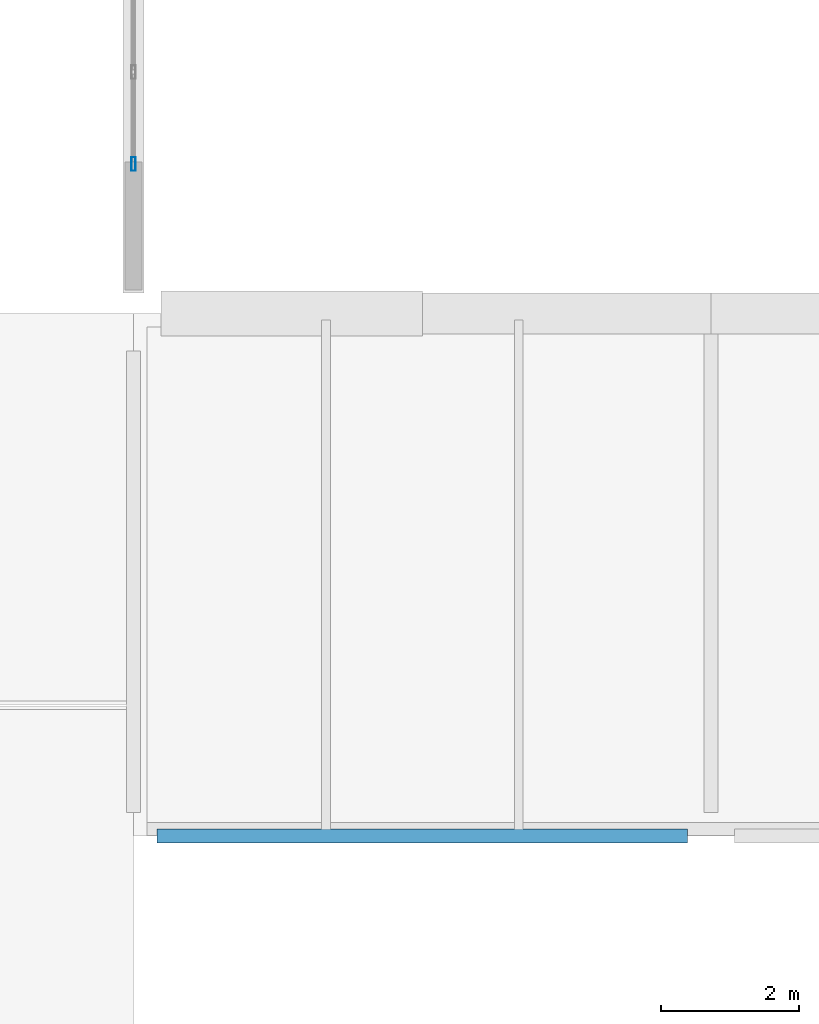
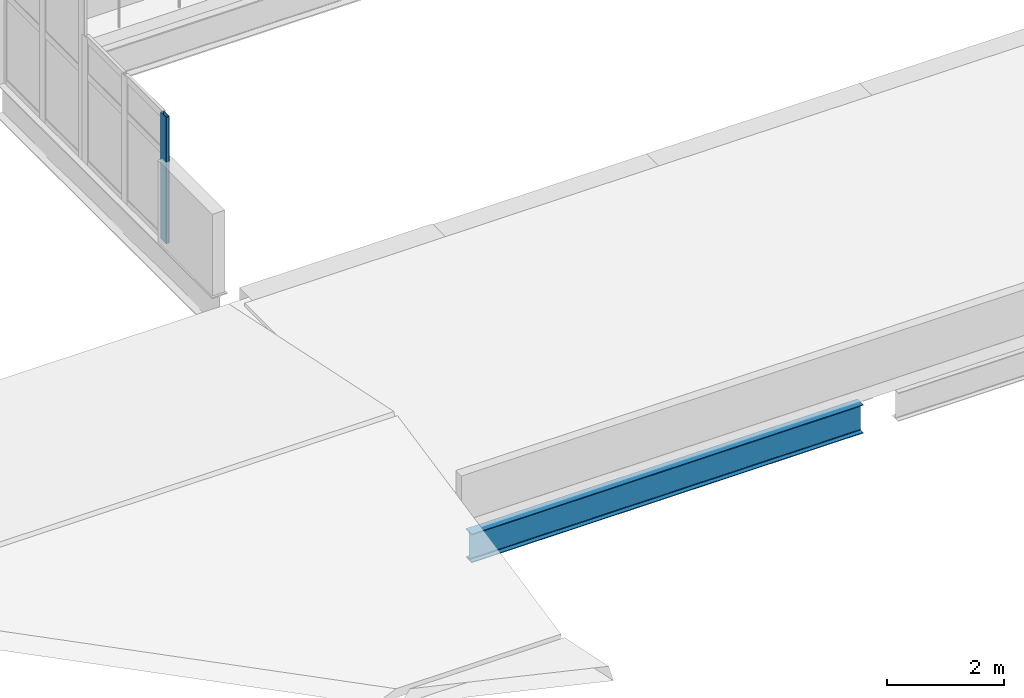
# One storey, part 7 of 37: 1 beam, 1 member, 1 element without a shape of its own.
"""IFC4 building model written with IfcOpenShell, lengths in metres."""

from ifc_helpers import new_model, si_unit, direction, frame, origin, origin_2d, place, context, subcontext, project, spatial, hollow_rectangle, i_section, extrude, material, material_profile, profile_set, type_object, element, aggregate, save


model = new_model("IFC4")

# Units and contexts
model_context = context("Model", 3, precision=1e-05, world=origin(), true_north=direction((0.0, 1.0)))
body_context = subcontext(model_context, "Body", "Model", "MODEL_VIEW")
ifc_project = project(units=[si_unit("LENGTHUNIT", "METRE"), si_unit("AREAUNIT", "SQUARE_METRE"), si_unit("VOLUMEUNIT", "CUBIC_METRE"), si_unit("PLANEANGLEUNIT", "RADIAN"), si_unit("MASSUNIT", "GRAM", prefix="KILO")], contexts=[model_context])

# Site, building, storey
site_placement = place(None, origin())
site = spatial("IfcSite", under=ifc_project, at=site_placement, CompositionType="ELEMENT")
building_placement = place(site_placement, origin())
building = spatial("IfcBuilding", under=site, at=building_placement, Name="Shengluoqiao Park Theatre", CompositionType="ELEMENT")
storey_placement = place(building_placement, frame((0.0, 0.0, 19.199951171875)))
storey = spatial("IfcBuildingStorey", under=building, at=storey_placement, Name="L04", CompositionType="ELEMENT", Elevation=19.199951171875)

# Curtain wall, member
ifc_material_1 = material(Name="Aluminium 6063-T6", Category="aluminium")
curtain_wall_type = type_object("IfcCurtainWallType", Name="ENV-CW-CLERE", PredefinedType="NOTDEFINED", material=ifc_material_1)
curtain_wall_placement = place(storey_placement, origin())
curtain_wall = element("IfcCurtainWall", 1, at=curtain_wall_placement, inside=storey, type_object=curtain_wall_type, Name="L04 Curtain Wall CW-L04-GABLE-0220", PredefinedType="NOTDEFINED")
ifc_material_profile_1 = material_profile(ifc_material_1, hollow_rectangle(XDim=0.06494140625, YDim=0.199951171875, WallThickness=0.0048828125, InnerFilletRadius=0.0048828125, OuterFilletRadius=0.010009765625, at=origin_2d()), Name="ALU MULLION 200x65x5")
ifc_profile_set_1 = profile_set([ifc_material_profile_1], Name="Aluminium 6063-T6")
member_type = type_object("IfcMemberType", Name="ENV-MUL-200", PredefinedType="MULLION", material=ifc_profile_set_1)
member_placement = place(storey_placement, frame((44.39990234375, 78.172607421875, 0.0), z_axis=(0.0, 0.0, 1.0), x_axis=(-1.0, 0.0, 0.0)))
member = element("IfcMember", 2, at=member_placement, type_object=member_type, Name="CW-06 mullion 1", PredefinedType="MULLION", context=body_context, shape_type="SweptSolid", body=[
    extrude(hollow_rectangle(XDim=0.06494140625, YDim=0.199951171875, WallThickness=0.0048828125, InnerFilletRadius=0.0048828125, OuterFilletRadius=0.010009765625, at=origin_2d()), origin(), (0.0, 0.0, 1.0), 2.638427734375),
])
aggregate(curtain_wall, [member])

# Beam
ifc_material_2 = material(Name="Steel Q355", Category="steel")
ifc_material_profile_2 = material_profile(ifc_material_2, i_section(OverallWidth=0.198974609375, OverallDepth=0.595947265625, WebThickness=0.010009765625, FlangeThickness=0.014892578125, FilletRadius=0.02001953125, at=origin_2d()), Name="HN 596x199x10x15")
ifc_profile_set_2 = profile_set([ifc_material_profile_2], Name="Steel Q355")
beam_type = type_object("IfcBeamType", Name="STR-BM-SP-HN596", PredefinedType="SPANDREL", material=ifc_profile_set_2)
beam_placement = place(storey_placement, frame((44.743896484375, 68.39990234375, -0.5478515625), z_axis=(1.0, 0.0, 0.0), x_axis=(0.0, 1.0, 0.0)))
element("IfcBeam", 3, at=beam_placement, inside=storey, type_object=beam_type, Name="L04 Primary Girder 01976", PredefinedType="SPANDREL", context=body_context, shape_type="SweptSolid", body=[
    extrude(i_section(OverallWidth=0.198974609375, OverallDepth=0.595947265625, WebThickness=0.010009765625, FlangeThickness=0.014892578125, FilletRadius=0.02001953125, at=origin_2d()), origin(), (0.0, 0.0, 1.0), 7.712158203125),
])

save(model, "model.ifc")
